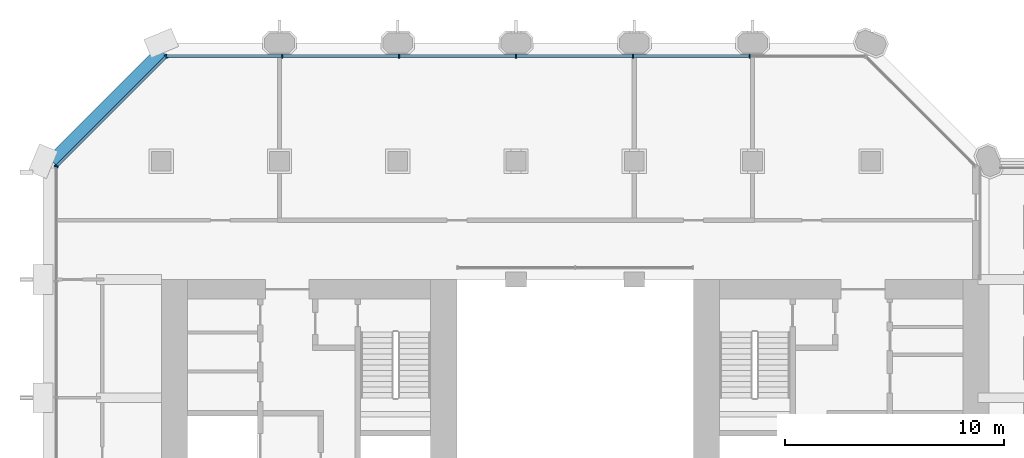
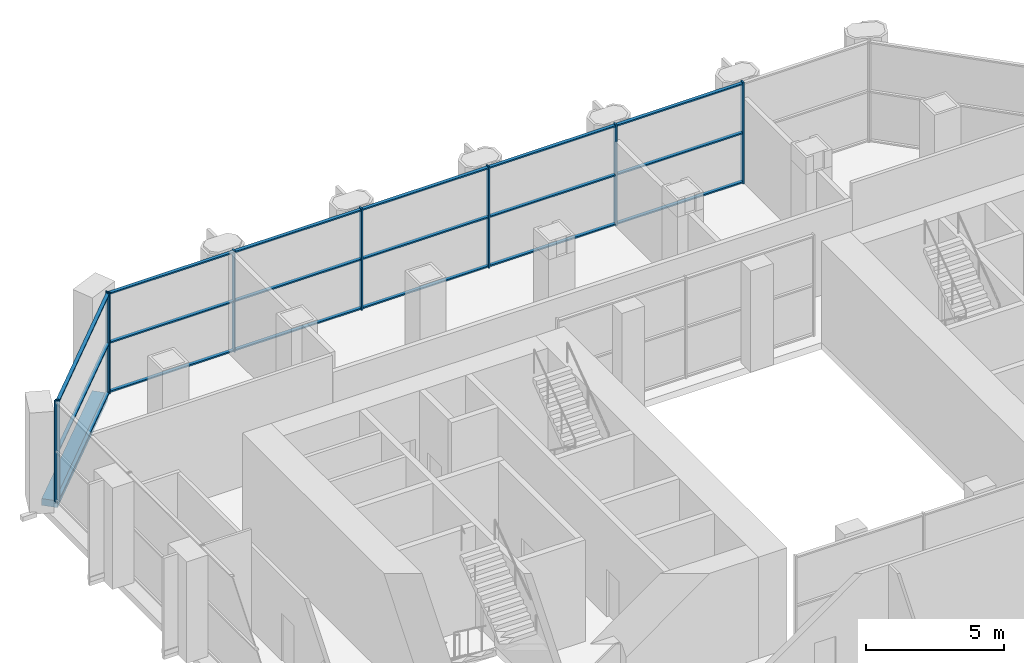
# One storey, part 7 of 15: 27 members, 1 beam, 3 elements without a shape of their own.
"""IFC4 building model written with IfcOpenShell, lengths in metres."""

from ifc_helpers import new_model, si_unit, direction, frame, origin, origin_2d, place, context, subcontext, project, spatial, rectangle, extrude, material, material_profile, profile_set, type_object, element, aggregate, save


model = new_model("IFC4")

# Units and contexts
model_context = context("Model", 3, precision=1e-05, world=origin(), true_north=direction((0.0, 1.0)))
body_context = subcontext(model_context, "Body", "Model", "MODEL_VIEW")
ifc_project = project(units=[si_unit("LENGTHUNIT", "METRE"), si_unit("AREAUNIT", "SQUARE_METRE"), si_unit("VOLUMEUNIT", "CUBIC_METRE"), si_unit("PLANEANGLEUNIT", "RADIAN"), si_unit("MASSUNIT", "GRAM", prefix="KILO")], contexts=[model_context])

# Site, building, storey
site_placement = place(None, origin())
site = spatial("IfcSite", under=ifc_project, at=site_placement, CompositionType="ELEMENT")
building_placement = place(site_placement, origin())
building = spatial("IfcBuilding", under=site, at=building_placement, Name="Tabaq Tower and Sports Hall", CompositionType="ELEMENT")
storey_placement = place(building_placement, frame((0.0, 0.0, 143.199951171875)))
storey = spatial("IfcBuildingStorey", under=building, at=storey_placement, Name="L33", CompositionType="ELEMENT", Elevation=143.199951171875)

# Curtain wall, members
ifc_material_1 = material(Name="Aluminium alloy 6063-T6 framed glazing", Category="aluminium")
curtain_wall_type = type_object("IfcCurtainWallType", Name="CW3 curtain wall", PredefinedType="USERDEFINED", material=ifc_material_1)
curtain_wall_1_placement = place(storey_placement, origin())
curtain_wall_1 = element("IfcCurtainWall", 1, at=curtain_wall_1_placement, inside=storey, type_object=curtain_wall_type, Name="Garden Floor Wall L33 N", ObjectType="GARDEN FLOOR WALL", PredefinedType="USERDEFINED")
ifc_material_2 = material(Name="Aluminium alloy 6063-T6", Category="aluminium")
ifc_material_profile_1 = material_profile(ifc_material_2, rectangle(XDim=0.179931640625, YDim=0.06005859375, at=origin_2d()), Name="MULLION 180x60")
ifc_profile_set_1 = profile_set([ifc_material_profile_1], Name="Aluminium alloy 6063-T6")
member_type_1 = type_object("IfcMemberType", Name="CW3 mullion 180x60", PredefinedType="MULLION", material=ifc_profile_set_1)
member_1_placement = place(storey_placement, frame((32.275634765625, 42.60009765625, 0.0), z_axis=(0.0, 0.0, 1.0), x_axis=(0.0, -1.0, 0.0)))
member_1 = element("IfcMember", 2, at=member_1_placement, type_object=member_type_1, Name="CW3 mullion 2", PredefinedType="MULLION", context=body_context, shape_type="SweptSolid", body=[
    extrude(rectangle(XDim=0.179931640625, YDim=0.06005859375, at=origin_2d()), origin(), (0.0, 0.0, 1.0), 4.5),
])
member_2_placement = place(storey_placement, frame((26.93798828125, 42.60009765625, 0.0), z_axis=(0.0, 0.0, 1.0), x_axis=(0.0, -1.0, 0.0)))
member_2 = element("IfcMember", 3, at=member_2_placement, type_object=member_type_1, Name="CW3 mullion 3", PredefinedType="MULLION", context=body_context, shape_type="SweptSolid", body=[
    extrude(rectangle(XDim=0.179931640625, YDim=0.06005859375, at=origin_2d()), origin(), (0.0, 0.0, 1.0), 4.5),
])
member_3_placement = place(storey_placement, frame((21.60009765625, 42.60009765625, 0.0), z_axis=(0.0, 0.0, 1.0), x_axis=(0.0, -1.0, 0.0)))
member_3 = element("IfcMember", 4, at=member_3_placement, type_object=member_type_1, Name="CW3 mullion 4", PredefinedType="MULLION", context=body_context, shape_type="SweptSolid", body=[
    extrude(rectangle(XDim=0.179931640625, YDim=0.06005859375, at=origin_2d()), origin(), (0.0, 0.0, 1.0), 4.5),
])
member_4_placement = place(storey_placement, frame((16.26220703125, 42.60009765625, 0.0), z_axis=(0.0, 0.0, 1.0), x_axis=(0.0, -1.0, 0.0)))
member_4 = element("IfcMember", 5, at=member_4_placement, type_object=member_type_1, Name="CW3 mullion 5", PredefinedType="MULLION", context=body_context, shape_type="SweptSolid", body=[
    extrude(rectangle(XDim=0.179931640625, YDim=0.06005859375, at=origin_2d()), origin(), (0.0, 0.0, 1.0), 4.5),
])
member_5_placement = place(storey_placement, frame((10.92431640625, 42.60009765625, 0.0), z_axis=(0.0, 0.0, 1.0), x_axis=(0.0, -1.0, 0.0)))
member_5 = element("IfcMember", 6, at=member_5_placement, type_object=member_type_1, Name="CW3 mullion 6", PredefinedType="MULLION", context=body_context, shape_type="SweptSolid", body=[
    extrude(rectangle(XDim=0.179931640625, YDim=0.06005859375, at=origin_2d()), origin(), (0.0, 0.0, 1.0), 4.5),
])
member_6_placement = place(storey_placement, frame((5.616455078125, 42.60009765625, 0.0), z_axis=(0.0, 0.0, 1.0), x_axis=(0.0, -1.0, 0.0)))
member_6 = element("IfcMember", 7, at=member_6_placement, type_object=member_type_1, Name="CW3 mullion 7", PredefinedType="MULLION", context=body_context, shape_type="SweptSolid", body=[
    extrude(rectangle(XDim=0.179931640625, YDim=0.06005859375, at=origin_2d()), origin(), (0.0, 0.0, 1.0), 4.5),
])

curtain_wall_2_placement = place(storey_placement, origin())
curtain_wall_2 = element("IfcCurtainWall", 8, at=curtain_wall_2_placement, inside=storey, type_object=curtain_wall_type, Name="Garden Floor Wall L33 NW", ObjectType="GARDEN FLOOR WALL", PredefinedType="USERDEFINED")
member_7_placement = place(storey_placement, frame((5.627197265625, 42.578857421875, 0.0), z_axis=(0.0, 0.0, 1.0), x_axis=(0.707106781187, -0.707106781187, 0.0)))
member_7 = element("IfcMember", 9, at=member_7_placement, type_object=member_type_1, Name="CW3 mullion 1", PredefinedType="MULLION", context=body_context, shape_type="SweptSolid", body=[
    extrude(rectangle(XDim=0.179931640625, YDim=0.06005859375, at=origin_2d()), origin(), (0.0, 0.0, 1.0), 4.5),
])
member_8_placement = place(storey_placement, frame((0.62109375, 37.57275390625, 0.0), z_axis=(0.0, 0.0, 1.0), x_axis=(0.707106781187, -0.707106781187, 0.0)))
member_8 = element("IfcMember", 10, at=member_8_placement, type_object=member_type_1, Name="CW3 mullion 2", PredefinedType="MULLION", context=body_context, shape_type="SweptSolid", body=[
    extrude(rectangle(XDim=0.179931640625, YDim=0.06005859375, at=origin_2d()), origin(), (0.0, 0.0, 1.0), 4.5),
])

# Curtain wall, member
curtain_wall_3_placement = place(storey_placement, origin())
curtain_wall_3 = element("IfcCurtainWall", 11, at=curtain_wall_3_placement, inside=storey, type_object=curtain_wall_type, Name="Garden Floor Wall L33 W", ObjectType="GARDEN FLOOR WALL", PredefinedType="USERDEFINED")
member_9_placement = place(storey_placement, frame((0.60009765625, 37.58349609375, 0.0), z_axis=(0.0, 0.0, 1.0), x_axis=(1.0, 0.0, 0.0)))
member_9 = element("IfcMember", 12, at=member_9_placement, type_object=member_type_1, Name="CW3 mullion 1", PredefinedType="MULLION", context=body_context, shape_type="SweptSolid", body=[
    extrude(rectangle(XDim=0.179931640625, YDim=0.06005859375, at=origin_2d()), origin(), (0.0, 0.0, 1.0), 4.5),
])
aggregate(curtain_wall_3, [member_9])

# Member
ifc_material_3 = material(Name="Aluminium alloy 6063-T6", Category="aluminium")
ifc_material_profile_2 = material_profile(ifc_material_3, rectangle(XDim=0.139892578125, YDim=0.06005859375, at=origin_2d()), Name="TRANSOM 140x60")
ifc_profile_set_2 = profile_set([ifc_material_profile_2], Name="Aluminium alloy 6063-T6")
member_type_2 = type_object("IfcMemberType", Name="CW3 transom 140x60", PredefinedType="USERDEFINED", material=ifc_profile_set_2)
member_10_placement = place(storey_placement, frame((32.245849609375, 42.60009765625, 0.070068359375), z_axis=(-1.0, 0.0, 0.0), x_axis=(0.0, -1.0, 0.0)))
member_10 = element("IfcMember", 13, at=member_10_placement, type_object=member_type_2, Name="CW3 transom 2.1", ObjectType="TRANSOM", PredefinedType="USERDEFINED", context=body_context, shape_type="SweptSolid", body=[
    extrude(rectangle(XDim=0.139892578125, YDim=0.06005859375, at=origin_2d()), origin(), (0.0, 0.0, 1.0), 5.278076171875),
])

member_11_placement = place(storey_placement, frame((32.245849609375, 42.60009765625, 2.25), z_axis=(-1.0, 0.0, 0.0), x_axis=(0.0, -1.0, 0.0)))
member_11 = element("IfcMember", 14, at=member_11_placement, type_object=member_type_2, Name="CW3 transom 2.2", ObjectType="TRANSOM", PredefinedType="USERDEFINED", context=body_context, shape_type="SweptSolid", body=[
    extrude(rectangle(XDim=0.139892578125, YDim=0.06005859375, at=origin_2d()), origin(), (0.0, 0.0, 1.0), 5.278076171875),
])

member_12_placement = place(storey_placement, frame((32.245849609375, 42.60009765625, 4.429931640625), z_axis=(-1.0, 0.0, 0.0), x_axis=(0.0, -1.0, 0.0)))
member_12 = element("IfcMember", 15, at=member_12_placement, type_object=member_type_2, Name="CW3 transom 2.3", ObjectType="TRANSOM", PredefinedType="USERDEFINED", context=body_context, shape_type="SweptSolid", body=[
    extrude(rectangle(XDim=0.139892578125, YDim=0.06005859375, at=origin_2d()), origin(), (0.0, 0.0, 1.0), 5.278076171875),
])

member_13_placement = place(storey_placement, frame((26.907958984375, 42.60009765625, 0.070068359375), z_axis=(-1.0, 0.0, 0.0), x_axis=(0.0, -1.0, 0.0)))
member_13 = element("IfcMember", 16, at=member_13_placement, type_object=member_type_2, Name="CW3 transom 3.1", ObjectType="TRANSOM", PredefinedType="USERDEFINED", context=body_context, shape_type="SweptSolid", body=[
    extrude(rectangle(XDim=0.139892578125, YDim=0.06005859375, at=origin_2d()), origin(), (0.0, 0.0, 1.0), 5.278076171875),
])

member_14_placement = place(storey_placement, frame((26.907958984375, 42.60009765625, 2.25), z_axis=(-1.0, 0.0, 0.0), x_axis=(0.0, -1.0, 0.0)))
member_14 = element("IfcMember", 17, at=member_14_placement, type_object=member_type_2, Name="CW3 transom 3.2", ObjectType="TRANSOM", PredefinedType="USERDEFINED", context=body_context, shape_type="SweptSolid", body=[
    extrude(rectangle(XDim=0.139892578125, YDim=0.06005859375, at=origin_2d()), origin(), (0.0, 0.0, 1.0), 5.278076171875),
])

member_15_placement = place(storey_placement, frame((26.907958984375, 42.60009765625, 4.429931640625), z_axis=(-1.0, 0.0, 0.0), x_axis=(0.0, -1.0, 0.0)))
member_15 = element("IfcMember", 18, at=member_15_placement, type_object=member_type_2, Name="CW3 transom 3.3", ObjectType="TRANSOM", PredefinedType="USERDEFINED", context=body_context, shape_type="SweptSolid", body=[
    extrude(rectangle(XDim=0.139892578125, YDim=0.06005859375, at=origin_2d()), origin(), (0.0, 0.0, 1.0), 5.278076171875),
])

member_16_placement = place(storey_placement, frame((21.570068359375, 42.60009765625, 0.070068359375), z_axis=(-1.0, 0.0, 0.0), x_axis=(0.0, -1.0, 0.0)))
member_16 = element("IfcMember", 19, at=member_16_placement, type_object=member_type_2, Name="CW3 transom 4.1", ObjectType="TRANSOM", PredefinedType="USERDEFINED", context=body_context, shape_type="SweptSolid", body=[
    extrude(rectangle(XDim=0.139892578125, YDim=0.06005859375, at=origin_2d()), origin(), (0.0, 0.0, 1.0), 5.27783203125),
])

member_17_placement = place(storey_placement, frame((21.570068359375, 42.60009765625, 2.25), z_axis=(-1.0, 0.0, 0.0), x_axis=(0.0, -1.0, 0.0)))
member_17 = element("IfcMember", 20, at=member_17_placement, type_object=member_type_2, Name="CW3 transom 4.2", ObjectType="TRANSOM", PredefinedType="USERDEFINED", context=body_context, shape_type="SweptSolid", body=[
    extrude(rectangle(XDim=0.139892578125, YDim=0.06005859375, at=origin_2d()), origin(), (0.0, 0.0, 1.0), 5.27783203125),
])

member_18_placement = place(storey_placement, frame((21.570068359375, 42.60009765625, 4.429931640625), z_axis=(-1.0, 0.0, 0.0), x_axis=(0.0, -1.0, 0.0)))
member_18 = element("IfcMember", 21, at=member_18_placement, type_object=member_type_2, Name="CW3 transom 4.3", ObjectType="TRANSOM", PredefinedType="USERDEFINED", context=body_context, shape_type="SweptSolid", body=[
    extrude(rectangle(XDim=0.139892578125, YDim=0.06005859375, at=origin_2d()), origin(), (0.0, 0.0, 1.0), 5.27783203125),
])

member_19_placement = place(storey_placement, frame((16.232177734375, 42.60009765625, 0.070068359375), z_axis=(-1.0, 0.0, 0.0), x_axis=(0.0, -1.0, 0.0)))
member_19 = element("IfcMember", 22, at=member_19_placement, type_object=member_type_2, Name="CW3 transom 5.1", ObjectType="TRANSOM", PredefinedType="USERDEFINED", context=body_context, shape_type="SweptSolid", body=[
    extrude(rectangle(XDim=0.139892578125, YDim=0.06005859375, at=origin_2d()), origin(), (0.0, 0.0, 1.0), 5.27783203125),
])

member_20_placement = place(storey_placement, frame((16.232177734375, 42.60009765625, 2.25), z_axis=(-1.0, 0.0, 0.0), x_axis=(0.0, -1.0, 0.0)))
member_20 = element("IfcMember", 23, at=member_20_placement, type_object=member_type_2, Name="CW3 transom 5.2", ObjectType="TRANSOM", PredefinedType="USERDEFINED", context=body_context, shape_type="SweptSolid", body=[
    extrude(rectangle(XDim=0.139892578125, YDim=0.06005859375, at=origin_2d()), origin(), (0.0, 0.0, 1.0), 5.27783203125),
])

member_21_placement = place(storey_placement, frame((16.232177734375, 42.60009765625, 4.429931640625), z_axis=(-1.0, 0.0, 0.0), x_axis=(0.0, -1.0, 0.0)))
member_21 = element("IfcMember", 24, at=member_21_placement, type_object=member_type_2, Name="CW3 transom 5.3", ObjectType="TRANSOM", PredefinedType="USERDEFINED", context=body_context, shape_type="SweptSolid", body=[
    extrude(rectangle(XDim=0.139892578125, YDim=0.06005859375, at=origin_2d()), origin(), (0.0, 0.0, 1.0), 5.27783203125),
])

member_22_placement = place(storey_placement, frame((10.894287109375, 42.60009765625, 0.070068359375), z_axis=(-1.0, 0.0, 0.0), x_axis=(0.0, -1.0, 0.0)))
member_22 = element("IfcMember", 25, at=member_22_placement, type_object=member_type_2, Name="CW3 transom 6.1", ObjectType="TRANSOM", PredefinedType="USERDEFINED", context=body_context, shape_type="SweptSolid", body=[
    extrude(rectangle(XDim=0.139892578125, YDim=0.06005859375, at=origin_2d()), origin(), (0.0, 0.0, 1.0), 5.247802734375),
])

member_23_placement = place(storey_placement, frame((10.894287109375, 42.60009765625, 2.25), z_axis=(-1.0, 0.0, 0.0), x_axis=(0.0, -1.0, 0.0)))
member_23 = element("IfcMember", 26, at=member_23_placement, type_object=member_type_2, Name="CW3 transom 6.2", ObjectType="TRANSOM", PredefinedType="USERDEFINED", context=body_context, shape_type="SweptSolid", body=[
    extrude(rectangle(XDim=0.139892578125, YDim=0.06005859375, at=origin_2d()), origin(), (0.0, 0.0, 1.0), 5.247802734375),
])

member_24_placement = place(storey_placement, frame((10.894287109375, 42.60009765625, 4.429931640625), z_axis=(-1.0, 0.0, 0.0), x_axis=(0.0, -1.0, 0.0)))
member_24 = element("IfcMember", 27, at=member_24_placement, type_object=member_type_2, Name="CW3 transom 6.3", ObjectType="TRANSOM", PredefinedType="USERDEFINED", context=body_context, shape_type="SweptSolid", body=[
    extrude(rectangle(XDim=0.139892578125, YDim=0.06005859375, at=origin_2d()), origin(), (0.0, 0.0, 1.0), 5.247802734375),
])

aggregate(curtain_wall_1, [member_1, member_2, member_3, member_4, member_5, member_6, member_10, member_11, member_12, member_13, member_14, member_15, member_16, member_17, member_18, member_19, member_20, member_21, member_22, member_23, member_24])

member_25_placement = place(storey_placement, frame((5.606201171875, 42.5576171875, 0.070068359375), z_axis=(-0.707124170412, -0.707089391533, 0.0), x_axis=(0.707089391533, -0.707124170412, 0.0)))
member_25 = element("IfcMember", 28, at=member_25_placement, type_object=member_type_2, Name="CW3 transom 1.1", ObjectType="TRANSOM", PredefinedType="USERDEFINED", context=body_context, shape_type="SweptSolid", body=[
    extrude(rectangle(XDim=0.139892578125, YDim=0.06005859375, at=origin_2d()), origin(), (0.0, 0.0, 1.0), 7.019775390625),
])

member_26_placement = place(storey_placement, frame((5.606201171875, 42.5576171875, 2.25), z_axis=(-0.707124170412, -0.707089391533, 0.0), x_axis=(0.707089391533, -0.707124170412, 0.0)))
member_26 = element("IfcMember", 29, at=member_26_placement, type_object=member_type_2, Name="CW3 transom 1.2", ObjectType="TRANSOM", PredefinedType="USERDEFINED", context=body_context, shape_type="SweptSolid", body=[
    extrude(rectangle(XDim=0.139892578125, YDim=0.06005859375, at=origin_2d()), origin(), (0.0, 0.0, 1.0), 7.019775390625),
])

member_27_placement = place(storey_placement, frame((5.606201171875, 42.5576171875, 4.429931640625), z_axis=(-0.707124170412, -0.707089391533, 0.0), x_axis=(0.707089391533, -0.707124170412, 0.0)))
member_27 = element("IfcMember", 30, at=member_27_placement, type_object=member_type_2, Name="CW3 transom 1.3", ObjectType="TRANSOM", PredefinedType="USERDEFINED", context=body_context, shape_type="SweptSolid", body=[
    extrude(rectangle(XDim=0.139892578125, YDim=0.06005859375, at=origin_2d()), origin(), (0.0, 0.0, 1.0), 7.019775390625),
])

aggregate(curtain_wall_2, [member_7, member_8, member_25, member_26, member_27])

# Beam
ifc_material_4 = material(Name="Concrete C40/50", Category="concrete")
ifc_material_profile_3 = material_profile(ifc_material_4, rectangle(XDim=0.60009765625, YDim=0.300048828125, at=origin_2d()), Name="EB 600x300")
ifc_profile_set_3 = profile_set([ifc_material_profile_3], Name="Concrete C40/50")
beam_type = type_object("IfcBeamType", Name="PT EDGE BEAM EB 600x300 C40/50", PredefinedType="SPANDREL", material=ifc_profile_set_3)
beam_placement = place(storey_placement, frame((5.435302734375, 42.81103515625, -0.14990234375), z_axis=(-0.707106781187, -0.707106781187, 0.0), x_axis=(0.707106781187, -0.707106781187, 0.0)))
element("IfcBeam", 31, at=beam_placement, inside=storey, type_object=beam_type, Name="Edge Beam L33 2", PredefinedType="SPANDREL", context=body_context, shape_type="SweptSolid", body=[
    extrude(rectangle(XDim=0.60009765625, YDim=0.300048828125, at=origin_2d()), origin(), (0.0, 0.0, 1.0), 7.087890625),
])

save(model, "model.ifc")
